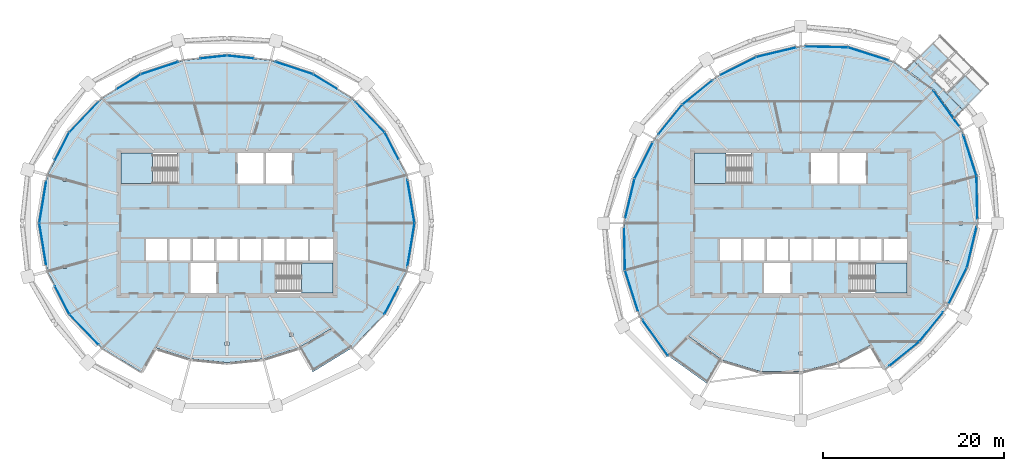
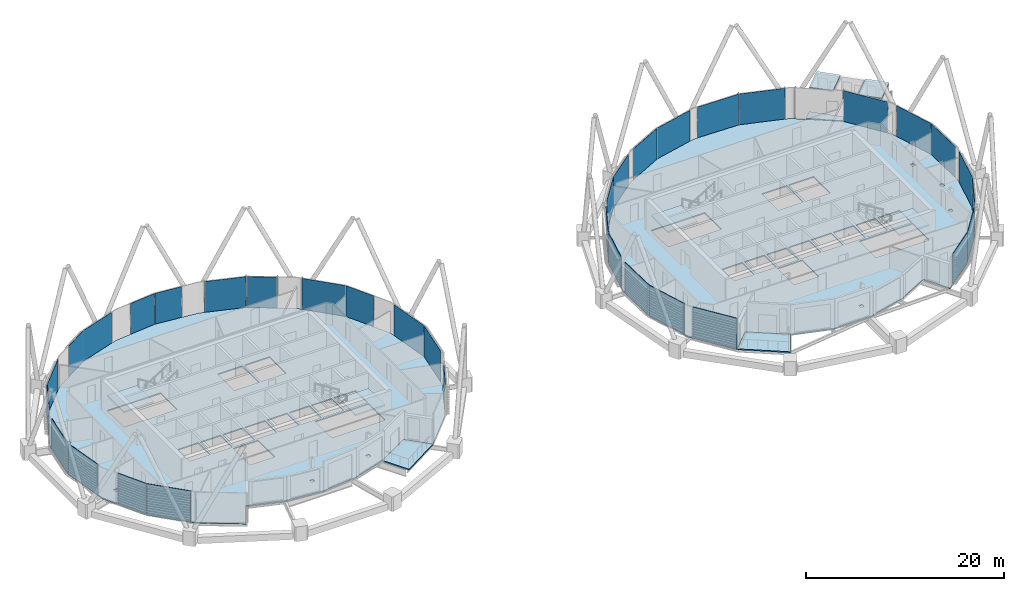
# One storey, part 19 of 34: 35 plates, 12 slabs, 6 elements without a shape of their own.
"""IFC4 building model written with IfcOpenShell, lengths in metres."""

from ifc_helpers import new_model, si_unit, direction, frame, origin, origin_2d, place, context, subcontext, project, spatial, polyline, rectangle, outline, extrude, material, layer, layer_set, type_object, element, aggregate, save


model = new_model("IFC4")

# Units and contexts
model_context = context("Model", 3, precision=1e-05, world=origin(), true_north=direction((0.0, 1.0)))
body_context = subcontext(model_context, "Body", "Model", "MODEL_VIEW")
ifc_project = project(units=[si_unit("LENGTHUNIT", "METRE"), si_unit("AREAUNIT", "SQUARE_METRE"), si_unit("VOLUMEUNIT", "CUBIC_METRE"), si_unit("PLANEANGLEUNIT", "RADIAN"), si_unit("MASSUNIT", "GRAM", prefix="KILO")], contexts=[model_context])

# Site, building, storey
site_placement = place(None, origin())
site = spatial("IfcSite", under=ifc_project, at=site_placement, CompositionType="ELEMENT")
building_placement = place(site_placement, origin())
building = spatial("IfcBuilding", under=site, at=building_placement, Name="Rimbun Link Towers", CompositionType="ELEMENT")
storey_placement = place(building_placement, frame((0.0, 0.0, 221.89990234375)))
storey = spatial("IfcBuildingStorey", under=building, at=storey_placement, Name="L54", CompositionType="ELEMENT", Elevation=221.89990234375)

# Slabs
ifc_material_1 = material(Name="Insulated metal floor panel on steel frame", Category="steel")
ifc_layer_1 = layer(ifc_material_1, 0.159912109375)
ifc_layer_set_1 = layer_set([ifc_layer_1], Name="CAPSULE balcony panel 160")
slab_type_1 = type_object("IfcSlabType", Name="CAPSULE balcony panel 160", PredefinedType="FLOOR", material=ifc_layer_set_1)
slab_1_placement = place(storey_placement, frame((0.0, 0.0, -0.159912109375)))
element("IfcSlab", 1, at=slab_1_placement, inside=storey, type_object=slab_type_1, Name="CAPSULE D542 gallery floor", PredefinedType="FLOOR", context=body_context, shape_type="SweptSolid", body=[
    extrude(outline(polyline([(46.52490234375, 14.77490234375), (48.77001953125, 11.64599609375), (49.66845703125, 12.54443359375), (44.29443359375, 17.91845703125), (43.39599609375, 17.02001953125), (44.99755859375, 15.87060546875), (44.968505859375, 15.830078125), (46.138427734375, 14.990478515625), (46.16748046875, 15.03125), (46.52490234375, 14.77490234375)])), origin(), (0.0, 0.0, 1.0), 0.159912109375),
])
ifc_material_2 = material(Name="Insulated metal floor panel on steel frame", Category="steel")
ifc_layer_2 = layer(ifc_material_2, 0.159912109375)
ifc_layer_set_2 = layer_set([ifc_layer_2], Name="CAPSULE floor panel 160")
slab_type_2 = type_object("IfcSlabType", Name="CAPSULE floor panel 160", PredefinedType="FLOOR", material=ifc_layer_set_2)
slab_2_placement = place(storey_placement, frame((0.0, 0.0, -0.159912109375)))
element("IfcSlab", 2, at=slab_2_placement, inside=storey, type_object=slab_type_2, Name="CAPSULE D542.03 floor panel", PredefinedType="FLOOR", context=body_context, shape_type="SweptSolid", body=[
    extrude(outline(polyline([(51.71923828125, 14.59521484375), (49.951416015625, 16.363037109375), (47.90087890625, 14.312255859375), (49.66845703125, 12.54443359375), (51.71923828125, 14.59521484375)])), origin(), (0.0, 0.0, 1.0), 0.159912109375),
])
ifc_material_3 = material(Name="Insulated metal roof panel with terracotta fascia", Category="masonry")
ifc_layer_3 = layer(ifc_material_3, 0.14990234375)
ifc_layer_set_3 = layer_set([ifc_layer_3], Name="CAPSULE roof panel 150")
slab_type_3 = type_object("IfcSlabType", Name="CAPSULE roof panel 150", PredefinedType="ROOF", material=ifc_layer_set_3)
slab_3_placement = place(storey_placement, frame((0.0, 0.0, 2.85009765625)))
element("IfcSlab", 3, at=slab_3_placement, inside=storey, type_object=slab_type_3, Name="CAPSULE D542.01 roof panel", PredefinedType="ROOF", context=body_context, shape_type="SweptSolid", body=[
    extrude(outline(polyline([(48.113037109375, 18.201416015625), (46.34521484375, 19.96923828125), (44.29443359375, 17.91845703125), (46.062255859375, 16.15087890625), (48.113037109375, 18.201416015625)])), origin(), (0.0, 0.0, 1.0), 0.14990234375),
])
slab_4_placement = place(storey_placement, frame((0.0, 0.0, 2.85009765625)))
element("IfcSlab", 4, at=slab_4_placement, inside=storey, type_object=slab_type_3, Name="CAPSULE D542.03 roof panel", PredefinedType="ROOF", context=body_context, shape_type="SweptSolid", body=[
    extrude(outline(polyline([(51.71923828125, 14.59521484375), (49.951416015625, 16.363037109375), (47.90087890625, 14.312255859375), (49.66845703125, 12.54443359375), (51.71923828125, 14.59521484375)])), origin(), (0.0, 0.0, 1.0), 0.14990234375),
])
ifc_material_4 = material(Name="Concrete C35/45", Category="concrete")
ifc_layer_4 = layer(ifc_material_4, 0.139892578125)
ifc_layer_set_4 = layer_set([ifc_layer_4], Name="COMPOSITE FLOOR 140")
slab_type_4 = type_object("IfcSlabType", Name="COMPOSITE FLOOR 140", PredefinedType="FLOOR", material=ifc_layer_set_4)
slab_5_placement = place(storey_placement, frame((0.0, 0.0, -0.139892578125)))
element("IfcSlab", 5, at=slab_5_placement, inside=storey, type_object=slab_type_4, Name="Floor slab T1 L54", PredefinedType="FLOOR", context=body_context, shape_type="SweptSolid", body=[
    extrude(outline(polyline([(-45.56494140625, -13.81494140625), (-49.168212890625, -10.056396484375), (-51.6171875, -5.323486328125), (-52.49267578125, 0.0), (-51.6171875, 5.323486328125), (-49.168212890625, 10.056396484375), (-45.56494140625, 13.81494140625), (-41.254150390625, 16.4619140625), (-36.576416015625, 18.011962890625), (-31.75, 18.520263671875), (-26.923583984375, 18.011962890625), (-22.245849609375, 16.4619140625), (-17.93505859375, 13.81494140625), (-14.331787109375, 10.056396484375), (-11.8828125, 5.323486328125), (-11.00732421875, 0.0), (-11.8828125, -5.323486328125), (-14.331787109375, -10.056396484375), (-17.93505859375, -13.81494140625), (-20.127197265625, -11.622802734375), (-23.7958984375, -13.777099609375), (-27.72607421875, -15.017578125), (-31.75, -15.42041015625), (-35.77392578125, -15.017578125), (-39.7041015625, -13.777099609375), (-41.254150390625, -16.4619140625), (-45.56494140625, -13.81494140625)]), holes=[polyline([(-31.550537109375, -13.517333984375), (-31.550537109375, -13.123779296875), (-31.949462890625, -13.123779296875), (-31.949462890625, -13.517333984375), (-31.550537109375, -13.517333984375)]), polyline([(-32.89990234375, -7.75), (-32.89990234375, -4.39990234375), (-35.800048828125, -4.39990234375), (-35.800048828125, -7.75), (-32.89990234375, -7.75)]), polyline([(-49.51904296875, -5.011474609375), (-49.51904296875, -4.617919921875), (-49.918212890625, -4.617919921875), (-49.918212890625, -5.011474609375), (-49.51904296875, -5.011474609375)]), polyline([(-38.361083984375, -4.14990234375), (-38.361083984375, -1.75), (-40.70556640625, -1.75), (-40.70556640625, -4.14990234375), (-38.361083984375, -4.14990234375)]), polyline([(-35.7666015625, -4.14990234375), (-35.7666015625, -1.75), (-38.111083984375, -1.75), (-38.111083984375, -4.14990234375), (-35.7666015625, -4.14990234375)]), polyline([(-33.172119140625, -4.14990234375), (-33.172119140625, -1.75), (-35.5166015625, -1.75), (-35.5166015625, -4.14990234375), (-33.172119140625, -4.14990234375)]), polyline([(-49.3837890625, -0.19677734375), (-49.3837890625, 0.19677734375), (-49.78271484375, 0.19677734375), (-49.78271484375, -0.19677734375), (-49.3837890625, -0.19677734375)]), polyline([(-49.918212890625, 4.617919921875), (-49.51904296875, 4.617919921875), (-49.51904296875, 5.011474609375), (-49.918212890625, 5.011474609375), (-49.918212890625, 4.617919921875)]), polyline([(-43.5, 4.39990234375), (-37.260009765625, 4.39990234375), (-37.260009765625, 7.75), (-43.5, 7.75), (-43.5, 4.39990234375)]), polyline([(-24.42724609375, -12.53466796875), (-24.42724609375, -12.14111328125), (-24.826416015625, -12.14111328125), (-24.826416015625, -12.53466796875), (-24.42724609375, -12.53466796875)]), polyline([(-20.0, -7.75), (-20.0, -4.39990234375), (-26.239990234375, -4.39990234375), (-26.239990234375, -7.75), (-20.0, -7.75)]), polyline([(-30.577880859375, -4.14990234375), (-30.577880859375, -1.75), (-32.922119140625, -1.75), (-32.922119140625, -4.14990234375), (-30.577880859375, -4.14990234375)]), polyline([(-27.9833984375, -4.14990234375), (-27.9833984375, -1.75), (-30.327880859375, -1.75), (-30.327880859375, -4.14990234375), (-27.9833984375, -4.14990234375)]), polyline([(-25.388916015625, -4.14990234375), (-25.388916015625, -1.75), (-27.7333984375, -1.75), (-27.7333984375, -4.14990234375), (-25.388916015625, -4.14990234375)]), polyline([(-22.79443359375, -4.14990234375), (-22.79443359375, -1.75), (-25.138916015625, -1.75), (-25.138916015625, -4.14990234375), (-22.79443359375, -4.14990234375)]), polyline([(-20.0, -4.14990234375), (-20.0, -1.75), (-22.54443359375, -1.75), (-22.54443359375, -4.14990234375), (-20.0, -4.14990234375)]), polyline([(-30.60009765625, 4.39990234375), (-27.699951171875, 4.39990234375), (-27.699951171875, 7.75), (-30.60009765625, 7.75), (-30.60009765625, 4.39990234375)]), polyline([(-27.449951171875, 4.39990234375), (-24.550048828125, 4.39990234375), (-24.550048828125, 7.75), (-27.449951171875, 7.75), (-27.449951171875, 4.39990234375)])]), origin(), (0.0, 0.0, 1.0), 0.139892578125),
])
slab_6_placement = place(storey_placement, frame((0.0, 0.0, -0.139892578125)))
element("IfcSlab", 6, at=slab_6_placement, inside=storey, type_object=slab_type_4, Name="Floor slab T2 L54", PredefinedType="FLOOR", context=body_context, shape_type="SweptSolid", body=[
    extrude(outline(polyline([(13.9375, -10.2841796875), (12.322509765625, -5.20556640625), (12.212646484375, 0.0), (13.389404296875, 4.919677734375), (15.600830078125, 9.32373046875), (18.654296875, 13.095703125), (22.42626953125, 16.149169921875), (26.830322265625, 18.360595703125), (31.75, 19.537353515625), (36.95556640625, 19.427490234375), (42.0341796875, 17.8125), (46.417236328125, 14.667236328125), (49.5625, 10.2841796875), (51.177490234375, 5.20556640625), (51.287353515625, 0.0), (50.110595703125, -4.919677734375), (47.899169921875, -9.32373046875), (44.845703125, -13.095703125), (41.07373046875, -16.149169921875), (39.523681640625, -13.46435546875), (35.867431640625, -15.3662109375), (31.75, -16.437255859375), (27.3466796875, -16.433349609375), (23.015869140625, -15.1279296875), (19.274658203125, -12.475341796875), (17.082763671875, -14.667236328125), (13.9375, -10.2841796875)]), holes=[polyline([(31.949462890625, -14.60009765625), (31.949462890625, -14.20654296875), (31.550537109375, -14.20654296875), (31.550537109375, -14.60009765625), (31.949462890625, -14.60009765625)]), polyline([(30.60009765625, -7.75), (30.60009765625, -4.39990234375), (27.699951171875, -4.39990234375), (27.699951171875, -7.75), (30.60009765625, -7.75)]), polyline([(25.138916015625, -4.14990234375), (25.138916015625, -1.75), (22.79443359375, -1.75), (22.79443359375, -4.14990234375), (25.138916015625, -4.14990234375)]), polyline([(27.7333984375, -4.14990234375), (27.7333984375, -1.75), (25.388916015625, -1.75), (25.388916015625, -4.14990234375), (27.7333984375, -4.14990234375)]), polyline([(30.327880859375, -4.14990234375), (30.327880859375, -1.75), (27.9833984375, -1.75), (27.9833984375, -4.14990234375), (30.327880859375, -4.14990234375)]), polyline([(32.922119140625, -4.14990234375), (32.922119140625, -1.75), (30.577880859375, -1.75), (30.577880859375, -4.14990234375), (32.922119140625, -4.14990234375)]), polyline([(35.5166015625, -4.14990234375), (35.5166015625, -1.75), (33.172119140625, -1.75), (33.172119140625, -4.14990234375), (35.5166015625, -4.14990234375)]), polyline([(26.239990234375, 4.39990234375), (26.239990234375, 7.75), (20.0, 7.75), (20.0, 4.39990234375), (26.239990234375, 4.39990234375)]), polyline([(35.800048828125, 4.39990234375), (35.800048828125, 7.75), (32.89990234375, 7.75), (32.89990234375, 4.39990234375), (35.800048828125, 4.39990234375)]), polyline([(43.5, -7.75), (43.5, -4.39990234375), (37.260009765625, -4.39990234375), (37.260009765625, -7.75), (43.5, -7.75)]), polyline([(48.1552734375, -4.5390625), (48.1552734375, -4.1455078125), (47.75634765625, -4.1455078125), (47.75634765625, -4.5390625), (48.1552734375, -4.5390625)]), polyline([(38.111083984375, -4.14990234375), (38.111083984375, -1.75), (35.7666015625, -1.75), (35.7666015625, -4.14990234375), (38.111083984375, -4.14990234375)]), polyline([(40.70556640625, -4.14990234375), (40.70556640625, -1.75), (38.361083984375, -1.75), (38.361083984375, -4.14990234375), (40.70556640625, -4.14990234375)]), polyline([(43.5, -4.14990234375), (43.5, -1.75), (40.95556640625, -1.75), (40.95556640625, -4.14990234375), (43.5, -4.14990234375)]), polyline([(49.6337890625, -0.19677734375), (49.6337890625, 0.19677734375), (49.23486328125, 0.19677734375), (49.23486328125, -0.19677734375), (49.6337890625, -0.19677734375)]), polyline([(48.4697265625, 4.336669921875), (48.868896484375, 4.336669921875), (48.868896484375, 4.730224609375), (48.4697265625, 4.730224609375), (48.4697265625, 4.336669921875)]), polyline([(36.050048828125, 4.39990234375), (38.949951171875, 4.39990234375), (38.949951171875, 7.75), (36.050048828125, 7.75), (36.050048828125, 4.39990234375)])]), origin(), (0.0, 0.0, 1.0), 0.139892578125),
])

# Curtain wall, plates
ifc_material_5 = material(Name="Aluminium 6063-T6 and low-iron glass", Category="aluminium")
curtain_wall_type = type_object("IfcCurtainWallType", Name="CW1-Z4 unitised vision wall (zone 4)", PredefinedType="NOTDEFINED", material=ifc_material_5)
curtain_wall_1_placement = place(storey_placement, origin())
curtain_wall_1 = element("IfcCurtainWall", 7, at=curtain_wall_1_placement, inside=storey, type_object=curtain_wall_type, Name="CW1 L54 T1", PredefinedType="NOTDEFINED")
ifc_material_6 = material(Name="Low-iron glass, laminated low-e unit", Category="glass")
ifc_layer_5 = layer(ifc_material_6, 0.028076171875)
ifc_layer_set_5 = layer_set([ifc_layer_5], Name="CW1 panel Low-iron glass 28")
plate_type = type_object("IfcPlateType", Name="CW1 panel Low-iron glass 28", PredefinedType="CURTAIN_PANEL", material=ifc_layer_set_5)
plate_1_placement = place(storey_placement, frame((-11.382568359375, 2.367919921875, 0.0), z_axis=(0.0, 0.0, 1.0), x_axis=(0.162264453577, -0.986747306612, 0.0)))
plate_1 = element("IfcPlate", 8, at=plate_1_placement, type_object=plate_type, Name="CW1 panel", PredefinedType="CURTAIN_PANEL", context=body_context, shape_type="SweptSolid", body=[
    extrude(rectangle(XDim=4.7548828125, YDim=0.028076171875, at=origin_2d()), origin(), (0.0, 0.0, 1.0), 3.800048828125),
])
plate_2_placement = place(storey_placement, frame((-13.542724609375, 8.562255859375, 0.0), z_axis=(0.0, 0.0, 1.0), x_axis=(0.459547983117, -0.888152943593, 0.0)))
plate_2 = element("IfcPlate", 9, at=plate_2_placement, type_object=plate_type, Name="CW1 panel", PredefinedType="CURTAIN_PANEL", context=body_context, shape_type="SweptSolid", body=[
    extrude(rectangle(XDim=3.339111328125, YDim=0.028076171875, at=origin_2d()), origin(), (0.0, 0.0, 1.0), 3.800048828125),
])
plate_3_placement = place(storey_placement, frame((-15.91552734375, 11.72900390625, 0.0), z_axis=(0.0, 0.0, 1.0), x_axis=(0.692045926829, -0.721853472084, 0.0)))
plate_3 = element("IfcPlate", 10, at=plate_3_placement, type_object=plate_type, Name="CW1 panel", PredefinedType="CURTAIN_PANEL", context=body_context, shape_type="SweptSolid", body=[
    extrude(rectangle(XDim=4.566650390625, YDim=0.028076171875, at=origin_2d()), origin(), (0.0, 0.0, 1.0), 3.800048828125),
])
plate_4_placement = place(storey_placement, frame((-20.892578125, 15.6474609375, 0.0), z_axis=(0.0, 0.0, 1.0), x_axis=(0.852187308888, -0.523236839844, 0.0)))
plate_4 = element("IfcPlate", 11, at=plate_4_placement, type_object=plate_type, Name="CW1 panel", PredefinedType="CURTAIN_PANEL", context=body_context, shape_type="SweptSolid", body=[
    extrude(rectangle(XDim=3.118408203125, YDim=0.028076171875, at=origin_2d()), origin(), (0.0, 0.0, 1.0), 3.800048828125),
])
plate_5_placement = place(storey_placement, frame((-24.295654296875, 17.15576171875, 0.0), z_axis=(0.0, 0.0, 1.0), x_axis=(0.949235811847, -0.314565372391, 0.0)))
plate_5 = element("IfcPlate", 12, at=plate_5_placement, type_object=plate_type, Name="CW1 panel", PredefinedType="CURTAIN_PANEL", context=body_context, shape_type="SweptSolid", body=[
    extrude(rectangle(XDim=4.2880859375, YDim=0.028076171875, at=origin_2d()), origin(), (0.0, 0.0, 1.0), 3.800048828125),
])
plate_6_placement = place(storey_placement, frame((-30.25537109375, 18.376953125, 0.0), z_axis=(0.0, 0.0, 1.0), x_axis=(0.994499693073, -0.104739488627, 0.0)))
plate_6 = element("IfcPlate", 13, at=plate_6_placement, type_object=plate_type, Name="CW1 panel", PredefinedType="CURTAIN_PANEL", context=body_context, shape_type="SweptSolid", body=[
    extrude(rectangle(XDim=2.962890625, YDim=0.028076171875, at=origin_2d()), origin(), (0.0, 0.0, 1.0), 3.800048828125),
])
plate_7_placement = place(storey_placement, frame((-33.24462890625, 18.376953125, 0.0), z_axis=(0.0, 0.0, 1.0), x_axis=(0.994499693073, 0.104739488627, 0.0)))
plate_7 = element("IfcPlate", 14, at=plate_7_placement, type_object=plate_type, Name="CW1 panel", PredefinedType="CURTAIN_PANEL", context=body_context, shape_type="SweptSolid", body=[
    extrude(rectangle(XDim=2.962890625, YDim=0.028076171875, at=origin_2d()), origin(), (0.0, 0.0, 1.0), 3.800048828125),
])
plate_8_placement = place(storey_placement, frame((-39.204345703125, 17.15576171875, 0.0), z_axis=(0.0, 0.0, 1.0), x_axis=(0.949235811847, 0.314565372391, 0.0)))
plate_8 = element("IfcPlate", 15, at=plate_8_placement, type_object=plate_type, Name="CW1 panel", PredefinedType="CURTAIN_PANEL", context=body_context, shape_type="SweptSolid", body=[
    extrude(rectangle(XDim=4.2880859375, YDim=0.028076171875, at=origin_2d()), origin(), (0.0, 0.0, 1.0), 3.800048828125),
])
plate_9_placement = place(storey_placement, frame((-42.607421875, 15.6474609375, 0.0), z_axis=(0.0, 0.0, 1.0), x_axis=(0.852187308888, 0.523236839844, 0.0)))
plate_9 = element("IfcPlate", 16, at=plate_9_placement, type_object=plate_type, Name="CW1 panel", PredefinedType="CURTAIN_PANEL", context=body_context, shape_type="SweptSolid", body=[
    extrude(rectangle(XDim=3.118408203125, YDim=0.028076171875, at=origin_2d()), origin(), (0.0, 0.0, 1.0), 3.800048828125),
])
plate_10_placement = place(storey_placement, frame((-47.58447265625, 11.72900390625, 0.0), z_axis=(0.0, 0.0, 1.0), x_axis=(0.692045926829, 0.721853472084, 0.0)))
plate_10 = element("IfcPlate", 17, at=plate_10_placement, type_object=plate_type, Name="CW1 panel", PredefinedType="CURTAIN_PANEL", context=body_context, shape_type="SweptSolid", body=[
    extrude(rectangle(XDim=4.566650390625, YDim=0.028076171875, at=origin_2d()), origin(), (0.0, 0.0, 1.0), 3.800048828125),
])
plate_11_placement = place(storey_placement, frame((-49.980224609375, 8.517822265625, 0.0), z_axis=(0.0, 0.0, 1.0), x_axis=(0.459547983117, 0.888152943593, 0.0)))
plate_11 = element("IfcPlate", 18, at=plate_11_placement, type_object=plate_type, Name="CW1 panel", PredefinedType="CURTAIN_PANEL", context=body_context, shape_type="SweptSolid", body=[
    extrude(rectangle(XDim=3.439208984375, YDim=0.028076171875, at=origin_2d()), origin(), (0.0, 0.0, 1.0), 3.800048828125),
])
plate_12_placement = place(storey_placement, frame((-52.12158203125, 2.34326171875, 0.0), z_axis=(0.0, 0.0, 1.0), x_axis=(0.162264453577, 0.986747306612, 0.0)))
plate_12 = element("IfcPlate", 19, at=plate_12_placement, type_object=plate_type, Name="CW1 panel", PredefinedType="CURTAIN_PANEL", context=body_context, shape_type="SweptSolid", body=[
    extrude(rectangle(XDim=4.704833984375, YDim=0.028076171875, at=origin_2d()), origin(), (0.0, 0.0, 1.0), 3.800048828125),
])
plate_13_placement = place(storey_placement, frame((-52.12158203125, -2.34326171875, 0.0), z_axis=(0.0, 0.0, 1.0), x_axis=(-0.162264453577, 0.986747306612, 0.0)))
plate_13 = element("IfcPlate", 20, at=plate_13_placement, type_object=plate_type, Name="CW1 panel", PredefinedType="CURTAIN_PANEL", context=body_context, shape_type="SweptSolid", body=[
    extrude(rectangle(XDim=4.704833984375, YDim=0.028076171875, at=origin_2d()), origin(), (0.0, 0.0, 1.0), 3.800048828125),
])
plate_14_placement = place(storey_placement, frame((-49.980224609375, -8.517822265625, 0.0), z_axis=(0.0, 0.0, 1.0), x_axis=(-0.459547983117, 0.888152943593, 0.0)))
plate_14 = element("IfcPlate", 21, at=plate_14_placement, type_object=plate_type, Name="CW1 panel", PredefinedType="CURTAIN_PANEL", context=body_context, shape_type="SweptSolid", body=[
    extrude(rectangle(XDim=3.439208984375, YDim=0.028076171875, at=origin_2d()), origin(), (0.0, 0.0, 1.0), 3.800048828125),
])
plate_15_placement = place(storey_placement, frame((-47.567138671875, -11.746826171875, 0.0), z_axis=(0.0, 0.0, 1.0), x_axis=(-0.692045926829, 0.721853472084, 0.0)))
plate_15 = element("IfcPlate", 22, at=plate_15_placement, type_object=plate_type, Name="CW1 panel", PredefinedType="CURTAIN_PANEL", context=body_context, shape_type="SweptSolid", body=[
    extrude(rectangle(XDim=4.61669921875, YDim=0.028076171875, at=origin_2d()), origin(), (0.0, 0.0, 1.0), 3.800048828125),
])
plate_16_placement = place(storey_placement, frame((-13.542724609375, -8.562255859375, 0.0), z_axis=(0.0, 0.0, 1.0), x_axis=(-0.459547983117, -0.888152943593, 0.0)))
plate_16 = element("IfcPlate", 23, at=plate_16_placement, type_object=plate_type, Name="CW1 panel", PredefinedType="CURTAIN_PANEL", context=body_context, shape_type="SweptSolid", body=[
    extrude(rectangle(XDim=3.339111328125, YDim=0.028076171875, at=origin_2d()), origin(), (0.0, 0.0, 1.0), 3.800048828125),
])
plate_17_placement = place(storey_placement, frame((-11.382568359375, -2.367919921875, 0.0), z_axis=(0.0, 0.0, 1.0), x_axis=(-0.162264453577, -0.986747306612, 0.0)))
plate_17 = element("IfcPlate", 24, at=plate_17_placement, type_object=plate_type, Name="CW1 panel", PredefinedType="CURTAIN_PANEL", context=body_context, shape_type="SweptSolid", body=[
    extrude(rectangle(XDim=4.7548828125, YDim=0.028076171875, at=origin_2d()), origin(), (0.0, 0.0, 1.0), 3.800048828125),
])
aggregate(curtain_wall_1, [plate_1, plate_2, plate_3, plate_4, plate_5, plate_6, plate_7, plate_8, plate_9, plate_10, plate_11, plate_12, plate_13, plate_14, plate_15, plate_16, plate_17])

curtain_wall_2_placement = place(storey_placement, origin())
curtain_wall_2 = element("IfcCurtainWall", 25, at=curtain_wall_2_placement, inside=storey, type_object=curtain_wall_type, Name="CW1 L54 T2", PredefinedType="NOTDEFINED")
plate_18_placement = place(storey_placement, frame((39.237060546875, 18.716796875, 0.0), z_axis=(0.0, 0.0, 1.0), x_axis=(0.952973824415, -0.303052619159, 0.0)))
plate_18 = element("IfcPlate", 26, at=plate_18_placement, type_object=plate_type, Name="CW1 panel", PredefinedType="CURTAIN_PANEL", context=body_context, shape_type="SweptSolid", body=[
    extrude(rectangle(XDim=4.739013671875, YDim=0.028076171875, at=origin_2d()), origin(), (0.0, 0.0, 1.0), 3.800048828125),
])
plate_19_placement = place(storey_placement, frame((34.578125, 19.49169921875, 0.0), z_axis=(0.0, 0.0, 1.0), x_axis=(0.999778028585, -0.021068781637, 0.0)))
plate_19 = element("IfcPlate", 27, at=plate_19_placement, type_object=plate_type, Name="CW1 panel", PredefinedType="CURTAIN_PANEL", context=body_context, shape_type="SweptSolid", body=[
    extrude(rectangle(XDim=4.716796875, YDim=0.028076171875, at=origin_2d()), origin(), (0.0, 0.0, 1.0), 3.800048828125),
])
plate_20_placement = place(storey_placement, frame((29.043701171875, 18.904541015625, 0.0), z_axis=(0.0, 0.0, 1.0), x_axis=(0.972572183777, 0.232601262555, 0.0)))
plate_20 = element("IfcPlate", 28, at=plate_20_placement, type_object=plate_type, Name="CW1 panel", PredefinedType="CURTAIN_PANEL", context=body_context, shape_type="SweptSolid", body=[
    extrude(rectangle(XDim=4.5185546875, YDim=0.028076171875, at=origin_2d()), origin(), (0.0, 0.0, 1.0), 3.800048828125),
])
plate_21_placement = place(storey_placement, frame((24.822998046875, 17.368408203125, 0.0), z_axis=(0.0, 0.0, 1.0), x_axis=(0.893646631938, 0.448771319523, 0.0)))
plate_21 = element("IfcPlate", 29, at=plate_21_placement, type_object=plate_type, Name="CW1 panel", PredefinedType="CURTAIN_PANEL", context=body_context, shape_type="SweptSolid", body=[
    extrude(rectangle(XDim=4.438232421875, YDim=0.028076171875, at=origin_2d()), origin(), (0.0, 0.0, 1.0), 3.800048828125),
])
plate_22_placement = place(storey_placement, frame((20.29833984375, 14.444580078125, 0.0), z_axis=(0.0, 0.0, 1.0), x_axis=(0.777275581063, 0.629160290454, 0.0)))
plate_22 = element("IfcPlate", 30, at=plate_22_placement, type_object=plate_type, Name="CW1 panel", PredefinedType="CURTAIN_PANEL", context=body_context, shape_type="SweptSolid", body=[
    extrude(rectangle(XDim=4.212890625, YDim=0.028076171875, at=origin_2d()), origin(), (0.0, 0.0, 1.0), 3.800048828125),
])
plate_23_placement = place(storey_placement, frame((17.321044921875, 11.47119140625, 0.0), z_axis=(0.0, 0.0, 1.0), x_axis=(0.629160290454, 0.777275581063, 0.0)))
plate_23 = element("IfcPlate", 31, at=plate_23_placement, type_object=plate_type, Name="CW1 panel", PredefinedType="CURTAIN_PANEL", context=body_context, shape_type="SweptSolid", body=[
    extrude(rectangle(XDim=4.1630859375, YDim=0.028076171875, at=origin_2d()), origin(), (0.0, 0.0, 1.0), 3.800048828125),
])
plate_24_placement = place(storey_placement, frame((14.381591796875, 6.927001953125, 0.0), z_axis=(0.0, 0.0, 1.0), x_axis=(0.448771319523, 0.893646631938, 0.0)))
plate_24 = element("IfcPlate", 32, at=plate_24_placement, type_object=plate_type, Name="CW1 panel", PredefinedType="CURTAIN_PANEL", context=body_context, shape_type="SweptSolid", body=[
    extrude(rectangle(XDim=4.438232421875, YDim=0.028076171875, at=origin_2d()), origin(), (0.0, 0.0, 1.0), 3.800048828125),
])
plate_25_placement = place(storey_placement, frame((12.851318359375, 2.73046875, 0.0), z_axis=(0.0, 0.0, 1.0), x_axis=(0.232601262555, 0.972572183777, 0.0)))
plate_25 = element("IfcPlate", 33, at=plate_25_placement, type_object=plate_type, Name="CW1 panel", PredefinedType="CURTAIN_PANEL", context=body_context, shape_type="SweptSolid", body=[
    extrude(rectangle(XDim=4.468505859375, YDim=0.028076171875, at=origin_2d()), origin(), (0.0, 0.0, 1.0), 3.800048828125),
])
plate_26_placement = place(storey_placement, frame((12.25830078125, -2.828125, 0.0), z_axis=(0.0, 0.0, 1.0), x_axis=(-0.021068781637, 0.999778028585, 0.0)))
plate_26 = element("IfcPlate", 34, at=plate_26_placement, type_object=plate_type, Name="CW1 panel", PredefinedType="CURTAIN_PANEL", context=body_context, shape_type="SweptSolid", body=[
    extrude(rectangle(XDim=4.716796875, YDim=0.028076171875, at=origin_2d()), origin(), (0.0, 0.0, 1.0), 3.800048828125),
])
plate_27_placement = place(storey_placement, frame((13.033203125, -7.487060546875, 0.0), z_axis=(0.0, 0.0, 1.0), x_axis=(-0.303052619159, 0.952973824415, 0.0)))
plate_27 = element("IfcPlate", 35, at=plate_27_placement, type_object=plate_type, Name="CW1 panel", PredefinedType="CURTAIN_PANEL", context=body_context, shape_type="SweptSolid", body=[
    extrude(rectangle(XDim=4.739013671875, YDim=0.028076171875, at=origin_2d()), origin(), (0.0, 0.0, 1.0), 3.800048828125),
])
plate_28_placement = place(storey_placement, frame((15.64453125, -12.68701171875, 0.0), z_axis=(0.0, 0.0, 1.0), x_axis=(-0.583009497334, 0.812465338349, 0.0)))
plate_28 = element("IfcPlate", 36, at=plate_28_placement, type_object=plate_type, Name="CW1 panel", PredefinedType="CURTAIN_PANEL", context=body_context, shape_type="SweptSolid", body=[
    extrude(rectangle(XDim=4.85498046875, YDim=0.028076171875, at=origin_2d()), origin(), (0.0, 0.0, 1.0), 3.800048828125),
])
plate_29_placement = place(storey_placement, frame((43.20166015625, -14.444580078125, 0.0), z_axis=(0.0, 0.0, 1.0), x_axis=(-0.777275581063, -0.629160290454, 0.0)))
plate_29 = element("IfcPlate", 37, at=plate_29_placement, type_object=plate_type, Name="CW1 panel", PredefinedType="CURTAIN_PANEL", context=body_context, shape_type="SweptSolid", body=[
    extrude(rectangle(XDim=4.212890625, YDim=0.028076171875, at=origin_2d()), origin(), (0.0, 0.0, 1.0), 3.800048828125),
])
plate_30_placement = place(storey_placement, frame((46.178955078125, -11.47119140625, 0.0), z_axis=(0.0, 0.0, 1.0), x_axis=(-0.629160290454, -0.777275581063, 0.0)))
plate_30 = element("IfcPlate", 38, at=plate_30_placement, type_object=plate_type, Name="CW1 panel", PredefinedType="CURTAIN_PANEL", context=body_context, shape_type="SweptSolid", body=[
    extrude(rectangle(XDim=4.1630859375, YDim=0.028076171875, at=origin_2d()), origin(), (0.0, 0.0, 1.0), 3.800048828125),
])
plate_31_placement = place(storey_placement, frame((49.118408203125, -6.927001953125, 0.0), z_axis=(0.0, 0.0, 1.0), x_axis=(-0.448771319523, -0.893646631938, 0.0)))
plate_31 = element("IfcPlate", 39, at=plate_31_placement, type_object=plate_type, Name="CW1 panel", PredefinedType="CURTAIN_PANEL", context=body_context, shape_type="SweptSolid", body=[
    extrude(rectangle(XDim=4.438232421875, YDim=0.028076171875, at=origin_2d()), origin(), (0.0, 0.0, 1.0), 3.800048828125),
])
plate_32_placement = place(storey_placement, frame((50.660400390625, -2.681884765625, 0.0), z_axis=(0.0, 0.0, 1.0), x_axis=(-0.232601262555, -0.972572183777, 0.0)))
plate_32 = element("IfcPlate", 40, at=plate_32_placement, type_object=plate_type, Name="CW1 panel", PredefinedType="CURTAIN_PANEL", context=body_context, shape_type="SweptSolid", body=[
    extrude(rectangle(XDim=4.568359375, YDim=0.028076171875, at=origin_2d()), origin(), (0.0, 0.0, 1.0), 3.800048828125),
])
plate_33_placement = place(storey_placement, frame((51.24169921875, 2.828125, 0.0), z_axis=(0.0, 0.0, 1.0), x_axis=(0.021068781637, -0.999778028585, 0.0)))
plate_33 = element("IfcPlate", 41, at=plate_33_placement, type_object=plate_type, Name="CW1 panel", PredefinedType="CURTAIN_PANEL", context=body_context, shape_type="SweptSolid", body=[
    extrude(rectangle(XDim=4.716796875, YDim=0.028076171875, at=origin_2d()), origin(), (0.0, 0.0, 1.0), 3.800048828125),
])
plate_34_placement = place(storey_placement, frame((50.474365234375, 7.463134765625, 0.0), z_axis=(0.0, 0.0, 1.0), x_axis=(0.303052619159, -0.952973824415, 0.0)))
plate_34 = element("IfcPlate", 42, at=plate_34_placement, type_object=plate_type, Name="CW1 panel", PredefinedType="CURTAIN_PANEL", context=body_context, shape_type="SweptSolid", body=[
    extrude(rectangle(XDim=4.689208984375, YDim=0.028076171875, at=origin_2d()), origin(), (0.0, 0.0, 1.0), 3.800048828125),
])
plate_35_placement = place(storey_placement, frame((47.85546875, 12.68701171875, 0.0), z_axis=(0.0, 0.0, 1.0), x_axis=(0.583009497334, -0.812465338349, 0.0)))
plate_35 = element("IfcPlate", 43, at=plate_35_placement, type_object=plate_type, Name="CW1 panel", PredefinedType="CURTAIN_PANEL", context=body_context, shape_type="SweptSolid", body=[
    extrude(rectangle(XDim=4.85498046875, YDim=0.028076171875, at=origin_2d()), origin(), (0.0, 0.0, 1.0), 3.800048828125),
])
aggregate(curtain_wall_2, [plate_18, plate_19, plate_20, plate_21, plate_22, plate_23, plate_24, plate_25, plate_26, plate_27, plate_28, plate_29, plate_30, plate_31, plate_32, plate_33, plate_34, plate_35])

# Stair, slab
ifc_material_7 = material(Name="Concrete C40/50", Category="concrete")
stair_type = type_object("IfcStairType", Name="Exit stair 3800 rise", PredefinedType="HALF_TURN_STAIR", material=ifc_material_7)
stair_1_placement = place(storey_placement, origin())
stair_1 = element("IfcStair", 44, at=stair_1_placement, inside=storey, type_object=stair_type, Name="L54 EXIT STAIR A", PredefinedType="HALF_TURN_STAIR")
ifc_material_8 = material(Name="Concrete C40/50", Category="concrete")
ifc_layer_6 = layer(ifc_material_8, 0.199951171875)
ifc_layer_set_6 = layer_set([ifc_layer_6], Name="Stair landing")
slab_type_5 = type_object("IfcSlabType", Name="Stair landing", PredefinedType="LANDING", material=ifc_layer_set_6)
slab_7_placement = place(storey_placement, frame((0.0, 0.0, 1.7001953125)))
slab_7 = element("IfcSlab", 45, at=slab_7_placement, type_object=slab_type_5, Name="ST1 landing 1", PredefinedType="LANDING", context=body_context, shape_type="SweptSolid", body=[
    extrude(outline(polyline([(-40.0, 7.75), (-43.5, 7.75), (-43.5, 4.39990234375), (-40.0, 4.39990234375), (-40.0, 7.75)])), origin(), (0.0, 0.0, 1.0), 0.199951171875),
])
aggregate(stair_1, [slab_7])

stair_2_placement = place(storey_placement, origin())
stair_2 = element("IfcStair", 46, at=stair_2_placement, inside=storey, type_object=stair_type, Name="L54 EXIT STAIR B", PredefinedType="HALF_TURN_STAIR")
slab_8_placement = place(storey_placement, frame((0.0, 0.0, 1.7001953125)))
slab_8 = element("IfcSlab", 47, at=slab_8_placement, type_object=slab_type_5, Name="ST2 landing 1", PredefinedType="LANDING", context=body_context, shape_type="SweptSolid", body=[
    extrude(outline(polyline([(-23.5, -7.75), (-20.0, -7.75), (-20.0, -4.39990234375), (-23.5, -4.39990234375), (-23.5, -7.75)])), origin(), (0.0, 0.0, 1.0), 0.199951171875),
])
aggregate(stair_2, [slab_8])

stair_3_placement = place(storey_placement, origin())
stair_3 = element("IfcStair", 48, at=stair_3_placement, inside=storey, type_object=stair_type, Name="L54 EXIT STAIR A", PredefinedType="HALF_TURN_STAIR")
slab_9_placement = place(storey_placement, frame((0.0, 0.0, 1.7001953125)))
slab_9 = element("IfcSlab", 49, at=slab_9_placement, type_object=slab_type_5, Name="ST3 landing 1", PredefinedType="LANDING", context=body_context, shape_type="SweptSolid", body=[
    extrude(outline(polyline([(23.5, 7.75), (20.0, 7.75), (20.0, 4.39990234375), (23.5, 4.39990234375), (23.5, 7.75)])), origin(), (0.0, 0.0, 1.0), 0.199951171875),
])
aggregate(stair_3, [slab_9])

stair_4_placement = place(storey_placement, origin())
stair_4 = element("IfcStair", 50, at=stair_4_placement, inside=storey, type_object=stair_type, Name="L54 EXIT STAIR B", PredefinedType="HALF_TURN_STAIR")
slab_10_placement = place(storey_placement, frame((0.0, 0.0, 1.7001953125)))
slab_10 = element("IfcSlab", 51, at=slab_10_placement, type_object=slab_type_5, Name="ST4 landing 1", PredefinedType="LANDING", context=body_context, shape_type="SweptSolid", body=[
    extrude(outline(polyline([(40.0, -7.75), (43.5, -7.75), (43.5, -4.39990234375), (40.0, -4.39990234375), (40.0, -7.75)])), origin(), (0.0, 0.0, 1.0), 0.199951171875),
])
aggregate(stair_4, [slab_10])

# Slabs
ifc_material_9 = material(Name="Concrete C35/45", Category="concrete")
ifc_layer_7 = layer(ifc_material_9, 0.139892578125)
ifc_layer_set_7 = layer_set([ifc_layer_7], Name="TERRACE SLAB 140")
slab_type_6 = type_object("IfcSlabType", Name="TERRACE SLAB 140", PredefinedType="FLOOR", material=ifc_layer_set_7)
slab_11_placement = place(storey_placement, frame((0.0, 0.0, -0.139892578125)))
element("IfcSlab", 52, at=slab_11_placement, inside=storey, type_object=slab_type_6, Name="Terrace slab T1 L54", PredefinedType="FLOOR", context=body_context, shape_type="SweptSolid", body=[
    extrude(outline(polyline([(-23.7958984375, -13.777099609375), (-20.127197265625, -11.622802734375), (-17.93505859375, -13.81494140625), (-22.245849609375, -16.4619140625), (-23.7958984375, -13.777099609375)])), origin(), (0.0, 0.0, 1.0), 0.139892578125),
])
slab_12_placement = place(storey_placement, frame((0.0, 0.0, -0.139892578125)))
element("IfcSlab", 53, at=slab_12_placement, inside=storey, type_object=slab_type_6, Name="Terrace slab T2 L54", PredefinedType="FLOOR", context=body_context, shape_type="SweptSolid", body=[
    extrude(outline(polyline([(19.274658203125, -12.475341796875), (23.015869140625, -15.1279296875), (21.4658203125, -17.8125), (17.082763671875, -14.667236328125), (19.274658203125, -12.475341796875)])), origin(), (0.0, 0.0, 1.0), 0.139892578125),
])

save(model, "model.ifc")
